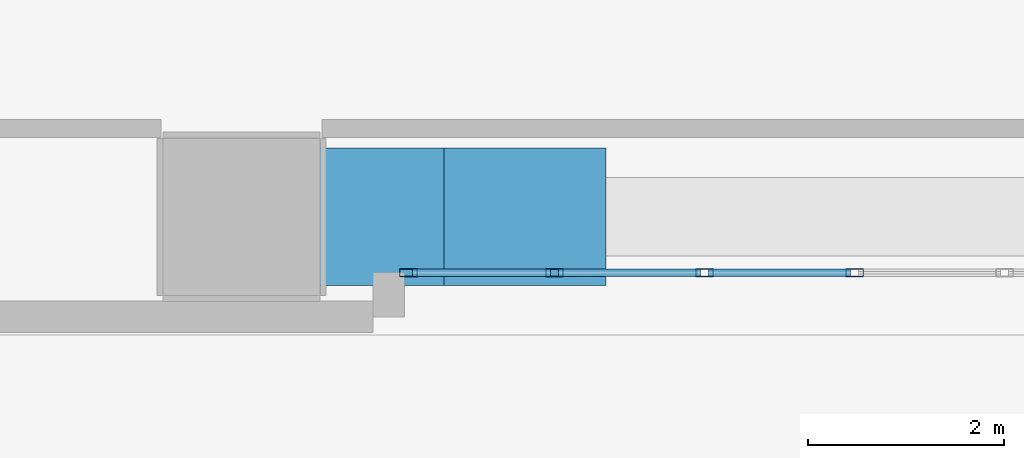
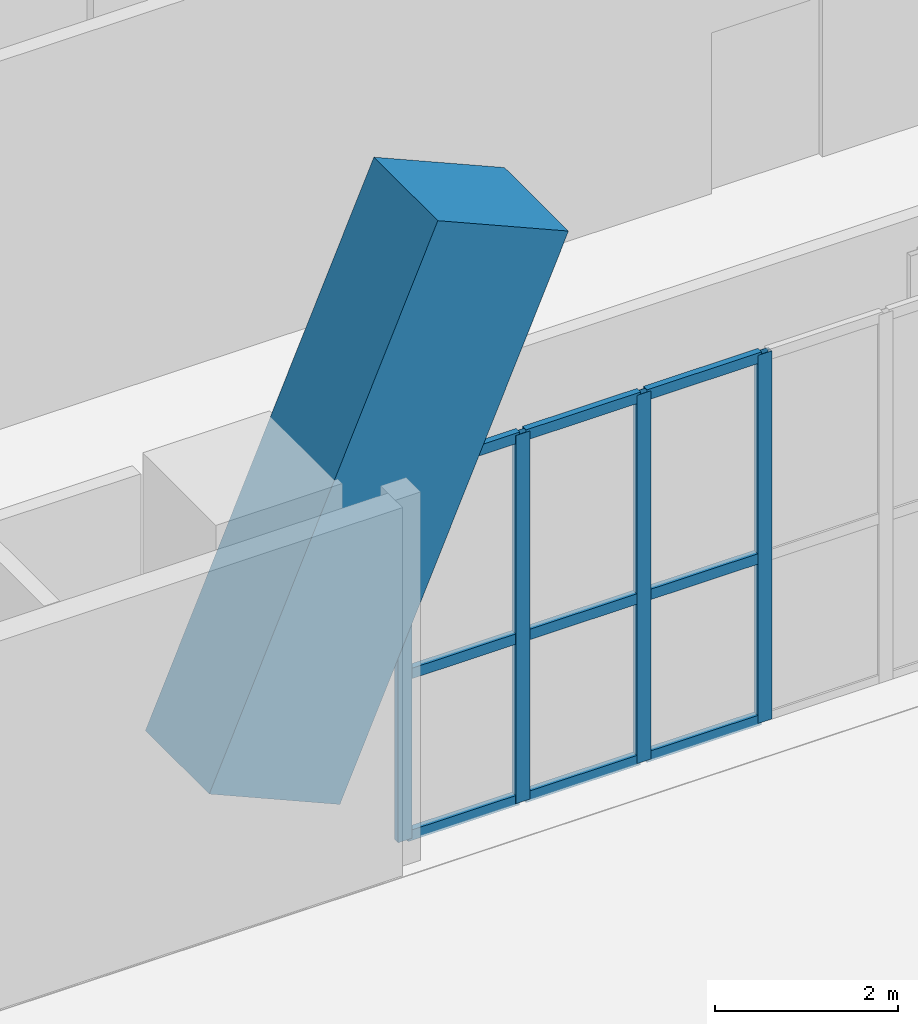
# One storey, part 2 of 30: 14 members, 1 element without a shape of its own.
"""IFC4 building model written with IfcOpenShell, lengths in metres."""

from ifc_helpers import new_model, si_unit, direction, frame, origin, origin_2d, place, context, subcontext, project, spatial, rectangle, hollow_rectangle, extrude, material, layer, layer_set, material_profile, profile_set, type_object, element, aggregate, save


model = new_model("IFC4")

# Units and contexts
model_context = context("Model", 3, precision=1e-05, world=origin(), true_north=direction((0.0, 1.0)))
body_context = subcontext(model_context, "Body", "Model", "MODEL_VIEW")
ifc_project = project(units=[si_unit("LENGTHUNIT", "METRE"), si_unit("AREAUNIT", "SQUARE_METRE"), si_unit("VOLUMEUNIT", "CUBIC_METRE"), si_unit("PLANEANGLEUNIT", "RADIAN"), si_unit("MASSUNIT", "GRAM", prefix="KILO")], contexts=[model_context])

# Site, building, storey
site_placement = place(None, origin())
site = spatial("IfcSite", under=ifc_project, at=site_placement, CompositionType="ELEMENT")
building_placement = place(site_placement, origin())
building = spatial("IfcBuilding", under=site, at=building_placement, Name="Solanera Arch Residences", CompositionType="ELEMENT")
storey_placement = place(building_placement, origin())
storey = spatial("IfcBuildingStorey", under=building, at=storey_placement, Name="L00", CompositionType="ELEMENT", Elevation=0.0)

# Curtain wall, members
ifc_material_1 = material(Name="Anodised Aluminium Alloy 6063-T6", Category="aluminium")
ifc_layer = layer(ifc_material_1, 0.179931640625)
ifc_layer_set = layer_set([ifc_layer], Name="Anodised Aluminium Alloy 6063-T6")
curtain_wall_type = type_object("IfcCurtainWallType", Name="CW-1 Arch Portal Unitised Glazing", PredefinedType="USERDEFINED", material=ifc_layer_set)
curtain_wall_placement = place(storey_placement, origin())
curtain_wall = element("IfcCurtainWall", 1, at=curtain_wall_placement, inside=storey, type_object=curtain_wall_type, Name="L00 Arch Portal Unitised Curtain Wall", ObjectType="CURTAIN_WALL", PredefinedType="USERDEFINED")
ifc_material_2 = material(Name="Anodised Aluminium Alloy 6063-T6", Category="aluminium")
ifc_material_profile_1 = material_profile(ifc_material_2, hollow_rectangle(XDim=0.080078125, YDim=0.179931640625, WallThickness=0.00390625, at=origin_2d()))
ifc_profile_set_1 = profile_set([ifc_material_profile_1], Name="Anodised Aluminium Alloy 6063-T6")
member_type_1 = type_object("IfcMemberType", Name="Curtain Wall Mullion ALU-MUL-80X180", PredefinedType="MULLION", material=ifc_profile_set_1)
member_1_placement = place(storey_placement, frame((19.647705078125, 10.6298828125, 0.0), z_axis=(0.0, 0.0, 1.0), x_axis=(0.0, -1.0, 0.0)))
member_1 = element("IfcMember", 2, at=member_1_placement, type_object=member_type_1, Name="CW-1 mullion 11", PredefinedType="MULLION", context=body_context, shape_type="SweptSolid", body=[
    extrude(hollow_rectangle(XDim=0.080078125, YDim=0.179931640625, WallThickness=0.00390625, at=origin_2d()), origin(), (0.0, 0.0, 1.0), 4.919921875),
])
member_2_placement = place(storey_placement, frame((18.118408203125, 10.6298828125, 0.0), z_axis=(0.0, 0.0, 1.0), x_axis=(0.0, -1.0, 0.0)))
member_2 = element("IfcMember", 3, at=member_2_placement, type_object=member_type_1, Name="CW-1 mullion 12", PredefinedType="MULLION", context=body_context, shape_type="SweptSolid", body=[
    extrude(hollow_rectangle(XDim=0.080078125, YDim=0.179931640625, WallThickness=0.00390625, at=origin_2d()), origin(), (0.0, 0.0, 1.0), 4.919921875),
])
member_3_placement = place(storey_placement, frame((16.589111328125, 10.6298828125, 0.0), z_axis=(0.0, 0.0, 1.0), x_axis=(0.0, -1.0, 0.0)))
member_3 = element("IfcMember", 4, at=member_3_placement, type_object=member_type_1, Name="CW-1 mullion 13", PredefinedType="MULLION", context=body_context, shape_type="SweptSolid", body=[
    extrude(hollow_rectangle(XDim=0.080078125, YDim=0.179931640625, WallThickness=0.00390625, at=origin_2d()), origin(), (0.0, 0.0, 1.0), 4.919921875),
])
member_4_placement = place(storey_placement, frame((15.10009765625, 10.6298828125, 0.0), z_axis=(0.0, 0.0, 1.0), x_axis=(0.0, -1.0, 0.0)))
member_4 = element("IfcMember", 5, at=member_4_placement, type_object=member_type_1, Name="CW-1 mullion 14", PredefinedType="MULLION", context=body_context, shape_type="SweptSolid", body=[
    extrude(hollow_rectangle(XDim=0.080078125, YDim=0.179931640625, WallThickness=0.00390625, at=origin_2d()), origin(), (0.0, 0.0, 1.0), 4.919921875),
])
ifc_material_3 = material(Name="Anodised Aluminium Alloy 6063-T6", Category="aluminium")
ifc_material_profile_2 = material_profile(ifc_material_3, hollow_rectangle(XDim=0.080078125, YDim=0.139892578125, WallThickness=0.00390625, at=origin_2d()))
ifc_profile_set_2 = profile_set([ifc_material_profile_2], Name="Anodised Aluminium Alloy 6063-T6")
member_type_2 = type_object("IfcMemberType", Name="Curtain Wall Transom ALU-TRN-80X140", PredefinedType="USERDEFINED", material=ifc_profile_set_2)
member_5_placement = place(storey_placement, frame((19.607666015625, 10.6298828125, 0.0400390625), z_axis=(-1.0, 0.0, 0.0), x_axis=(0.0, -1.0, 0.0)))
member_5 = element("IfcMember", 6, at=member_5_placement, type_object=member_type_2, Name="CW-1 transom 11.1", ObjectType="TRANSOM", PredefinedType="USERDEFINED", context=body_context, shape_type="SweptSolid", body=[
    extrude(hollow_rectangle(XDim=0.080078125, YDim=0.139892578125, WallThickness=0.00390625, at=origin_2d()), origin(), (0.0, 0.0, 1.0), 1.44921875),
])
member_6_placement = place(storey_placement, frame((19.607666015625, 10.6298828125, 2.199951171875), z_axis=(-1.0, 0.0, 0.0), x_axis=(0.0, -1.0, 0.0)))
member_6 = element("IfcMember", 7, at=member_6_placement, type_object=member_type_2, Name="CW-1 transom 11.2", ObjectType="TRANSOM", PredefinedType="USERDEFINED", context=body_context, shape_type="SweptSolid", body=[
    extrude(hollow_rectangle(XDim=0.080078125, YDim=0.139892578125, WallThickness=0.00390625, at=origin_2d()), origin(), (0.0, 0.0, 1.0), 1.44921875),
])
member_7_placement = place(storey_placement, frame((19.607666015625, 10.6298828125, 4.8798828125), z_axis=(-1.0, 0.0, 0.0), x_axis=(0.0, -1.0, 0.0)))
member_7 = element("IfcMember", 8, at=member_7_placement, type_object=member_type_2, Name="CW-1 transom 11.3", ObjectType="TRANSOM", PredefinedType="USERDEFINED", context=body_context, shape_type="SweptSolid", body=[
    extrude(hollow_rectangle(XDim=0.080078125, YDim=0.139892578125, WallThickness=0.00390625, at=origin_2d()), origin(), (0.0, 0.0, 1.0), 1.44921875),
])
member_8_placement = place(storey_placement, frame((18.078369140625, 10.6298828125, 0.0400390625), z_axis=(-1.0, 0.0, 0.0), x_axis=(0.0, -1.0, 0.0)))
member_8 = element("IfcMember", 9, at=member_8_placement, type_object=member_type_2, Name="CW-1 transom 12.1", ObjectType="TRANSOM", PredefinedType="USERDEFINED", context=body_context, shape_type="SweptSolid", body=[
    extrude(hollow_rectangle(XDim=0.080078125, YDim=0.139892578125, WallThickness=0.00390625, at=origin_2d()), origin(), (0.0, 0.0, 1.0), 1.44921875),
])
member_9_placement = place(storey_placement, frame((18.078369140625, 10.6298828125, 2.199951171875), z_axis=(-1.0, 0.0, 0.0), x_axis=(0.0, -1.0, 0.0)))
member_9 = element("IfcMember", 10, at=member_9_placement, type_object=member_type_2, Name="CW-1 transom 12.2", ObjectType="TRANSOM", PredefinedType="USERDEFINED", context=body_context, shape_type="SweptSolid", body=[
    extrude(hollow_rectangle(XDim=0.080078125, YDim=0.139892578125, WallThickness=0.00390625, at=origin_2d()), origin(), (0.0, 0.0, 1.0), 1.44921875),
])
member_10_placement = place(storey_placement, frame((18.078369140625, 10.6298828125, 4.8798828125), z_axis=(-1.0, 0.0, 0.0), x_axis=(0.0, -1.0, 0.0)))
member_10 = element("IfcMember", 11, at=member_10_placement, type_object=member_type_2, Name="CW-1 transom 12.3", ObjectType="TRANSOM", PredefinedType="USERDEFINED", context=body_context, shape_type="SweptSolid", body=[
    extrude(hollow_rectangle(XDim=0.080078125, YDim=0.139892578125, WallThickness=0.00390625, at=origin_2d()), origin(), (0.0, 0.0, 1.0), 1.44921875),
])
member_11_placement = place(storey_placement, frame((16.54931640625, 10.6298828125, 0.0400390625), z_axis=(-1.0, 0.0, 0.0), x_axis=(0.0, -1.0, 0.0)))
member_11 = element("IfcMember", 12, at=member_11_placement, type_object=member_type_2, Name="CW-1 transom 13.1", ObjectType="TRANSOM", PredefinedType="USERDEFINED", context=body_context, shape_type="SweptSolid", body=[
    extrude(hollow_rectangle(XDim=0.080078125, YDim=0.139892578125, WallThickness=0.00390625, at=origin_2d()), origin(), (0.0, 0.0, 1.0), 1.409423828125),
])
member_12_placement = place(storey_placement, frame((16.54931640625, 10.6298828125, 2.199951171875), z_axis=(-1.0, 0.0, 0.0), x_axis=(0.0, -1.0, 0.0)))
member_12 = element("IfcMember", 13, at=member_12_placement, type_object=member_type_2, Name="CW-1 transom 13.2", ObjectType="TRANSOM", PredefinedType="USERDEFINED", context=body_context, shape_type="SweptSolid", body=[
    extrude(hollow_rectangle(XDim=0.080078125, YDim=0.139892578125, WallThickness=0.00390625, at=origin_2d()), origin(), (0.0, 0.0, 1.0), 1.409423828125),
])
member_13_placement = place(storey_placement, frame((16.54931640625, 10.6298828125, 4.8798828125), z_axis=(-1.0, 0.0, 0.0), x_axis=(0.0, -1.0, 0.0)))
member_13 = element("IfcMember", 14, at=member_13_placement, type_object=member_type_2, Name="CW-1 transom 13.3", ObjectType="TRANSOM", PredefinedType="USERDEFINED", context=body_context, shape_type="SweptSolid", body=[
    extrude(hollow_rectangle(XDim=0.080078125, YDim=0.139892578125, WallThickness=0.00390625, at=origin_2d()), origin(), (0.0, 0.0, 1.0), 1.409423828125),
])
aggregate(curtain_wall, [member_1, member_2, member_3, member_4, member_5, member_6, member_7, member_8, member_9, member_10, member_11, member_12, member_13])

# Member
ifc_material_4 = material(Name="Concrete C55/67 (f'c = 60 MPa)", Category="concrete")
ifc_material_profile_3 = material_profile(ifc_material_4, rectangle(XDim=1.39990234375, YDim=1.800048828125, at=origin_2d()))
ifc_profile_set_3 = profile_set([ifc_material_profile_3], Name="Concrete C55/67 (f'c = 60 MPa)")
member_type_3 = type_object("IfcMemberType", Name="Truss Chord RC-ARCH-1400X1800", PredefinedType="CHORD", material=ifc_profile_set_3)
member_14_placement = place(storey_placement, frame((13.39990234375, 11.199951171875, 1.199951171875), z_axis=(0.398356688491, 0.0, 0.917230586458), x_axis=(0.0, 1.0, 0.0)))
element("IfcMember", 15, at=member_14_placement, inside=storey, type_object=member_type_3, Name="Monumental Podium Concrete Arch Rib 1", PredefinedType="CHORD", context=body_context, shape_type="SweptSolid", body=[
    extrude(rectangle(XDim=1.39990234375, YDim=1.800048828125, at=origin_2d()), origin(), (0.0, 0.0, 1.0), 7.250244140625),
])

save(model, "model.ifc")
